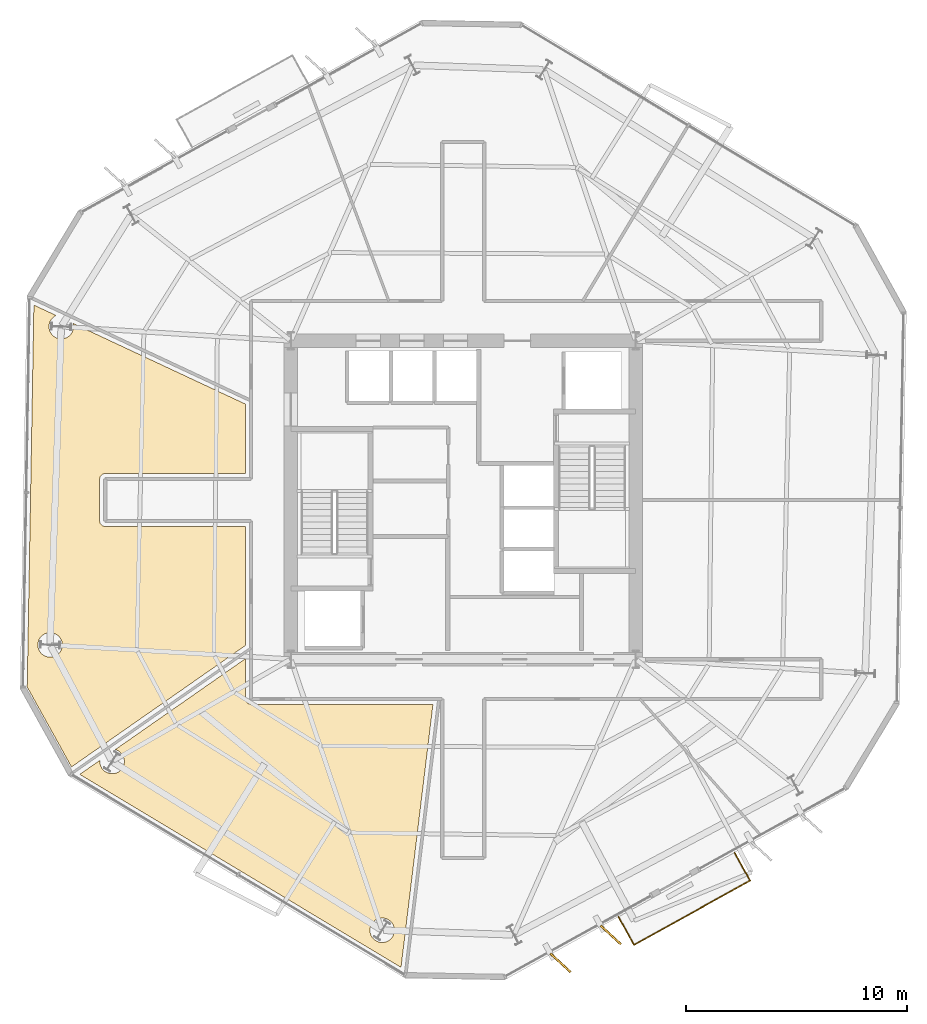
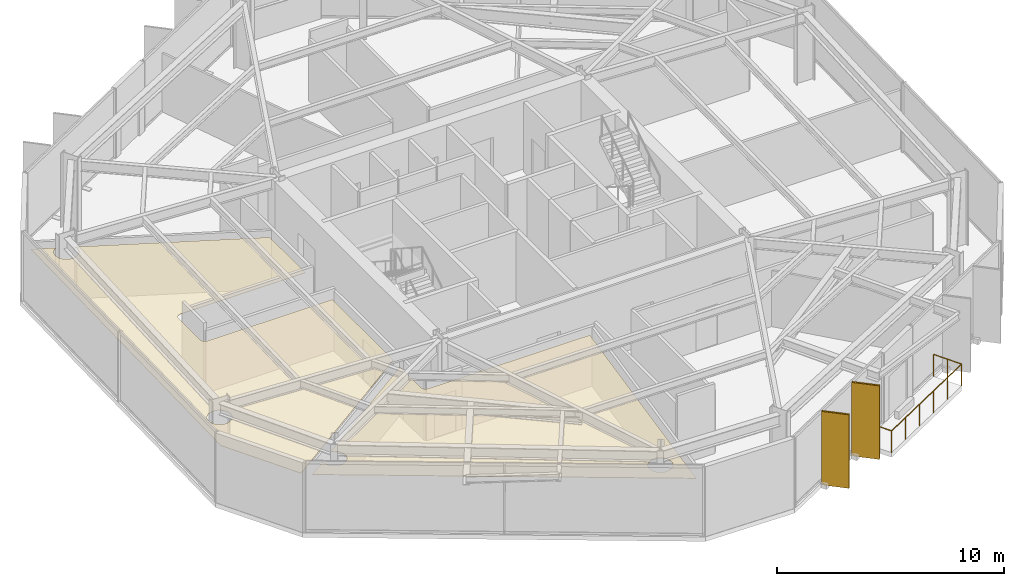
# One storey, part 9 of 11: 4 coverings, 2 shading devices, 1 railing.
"""IFC4 building model written with IfcOpenShell, lengths in metres."""

from ifc_helpers import new_model, si_unit, direction, frame, origin, origin_2d, place, context, subcontext, project, spatial, polyline, rectangle, circle, outline, extrude, material, layer, layer_set, type_object, element, save


model = new_model("IFC4")

# Units and contexts
model_context = context("Model", 3, precision=1e-05, world=origin(), true_north=direction((0.0, 1.0)))
body_context = subcontext(model_context, "Body", "Model", "MODEL_VIEW")
ifc_project = project(units=[si_unit("LENGTHUNIT", "METRE"), si_unit("AREAUNIT", "SQUARE_METRE"), si_unit("VOLUMEUNIT", "CUBIC_METRE"), si_unit("PLANEANGLEUNIT", "RADIAN"), si_unit("MASSUNIT", "GRAM", prefix="KILO")], contexts=[model_context])

# Site, building, storey
site_placement = place(None, origin())
site = spatial("IfcSite", under=ifc_project, at=site_placement, CompositionType="ELEMENT")
building_placement = place(site_placement, origin())
building = spatial("IfcBuilding", under=site, at=building_placement, Name="Kranzbogen Civic Tower", CompositionType="ELEMENT")
storey_placement = place(building_placement, frame((0.0, 0.0, 138.39990234375)))
storey = spatial("IfcBuildingStorey", under=building, at=storey_placement, Name="L33", CompositionType="ELEMENT", Elevation=138.39990234375)

# Coverings
ifc_material_1 = material(Name="Pale Anodised Aluminium", Category="aluminium")
ifc_layer_1 = layer(ifc_material_1, 0.02490234375, Name="Pale Anodised Aluminium")
ifc_layer_set_1 = layer_set([ifc_layer_1], Name="Pale Anodised Aluminium")
covering_type_1 = type_object("IfcCoveringType", Name="Anodised Aluminium Vertical Fin Cladding 25 mm", PredefinedType="CLADDING", material=ifc_layer_set_1)
for number, where, z_axis, x_axis, name in (
    (1, (29.39794921875, 4.06494140625, -0.139892578125), (0.0, 0.0, 1.0), (0.73622702441, -0.676734636714, 0.0), "L33 vertical fin pale-metal cladding F5-1"),
    (2, (31.672119140625, 5.325927734375, -0.139892578125), (0.0, 0.0, 1.0), (0.73622702441, -0.676734636714, 0.0), "L33 vertical fin pale-metal cladding F5-2"),
):
    element("IfcCovering", number, at=place(storey_placement, frame(where, z_axis=z_axis, x_axis=x_axis)), inside=storey, type_object=covering_type_1, Name=name, PredefinedType="CLADDING", context=body_context, shape_type="SweptSolid", body=[
        extrude(rectangle(XDim=1.25, YDim=0.10009765625, at=origin_2d()), origin(), (0.0, 0.0, 1.0), 3.9599609375),
    ])

# Shading devices
ifc_material_2 = material(Name="Anodised Bronze Aluminium", Category="aluminium")
shading_device_type = type_object("IfcShadingDeviceType", Name="Anodised Bronze Vertical Facade Fin 1250x80", PredefinedType="USERDEFINED", material=ifc_material_2)
for number, where, z_axis, x_axis, name in (
    (3, (29.39794921875, 4.06494140625, -0.139892578125), (0.0, 0.0, 1.0), (0.73622702441, -0.676734636714, 0.0), "L33 vertical exterior shading fin F5-1"),
    (4, (31.672119140625, 5.325927734375, -0.139892578125), (0.0, 0.0, 1.0), (0.73622702441, -0.676734636714, 0.0), "L33 vertical exterior shading fin F5-2"),
):
    element("IfcShadingDevice", number, at=place(storey_placement, frame(where, z_axis=z_axis, x_axis=x_axis)), inside=storey, type_object=shading_device_type, Name=name, ObjectType="FIN", PredefinedType="USERDEFINED", context=body_context, shape_type="SweptSolid", body=[
        extrude(rectangle(XDim=1.25, YDim=0.080078125, at=origin_2d()), origin(), (0.0, 0.0, 1.0), 3.9599609375),
    ])

# Railing
railing_type = type_object("IfcRailingType", Name="Cantilevered Balcony Glass and Bronze Balustrade 1200", PredefinedType="BALUSTRADE", material=ifc_material_2)
railing_placement = place(storey_placement, frame((32.02392578125, 6.14111328125, 0.0)))
element("IfcRailing", 5, at=railing_placement, inside=storey, type_object=railing_type, Name="L33 exterior terrace balustrade L33-TB2", PredefinedType="BALUSTRADE", context=body_context, shape_type="SweptSolid", body=[
    extrude(circle(Radius=0.02392578125, at=origin_2d()), frame((0.0, 0.0, 1.17578125), z_axis=(0.484927957556, -0.874554101231, 0.0), x_axis=(0.874554101231, 0.484927957556, 0.0)), (0.0, 0.0, 1.0), 1.449951171875),
    extrude(circle(Radius=0.02392578125, at=origin_2d()), frame((0.703125, -1.26806640625, 1.17578125), z_axis=(0.874696086164, 0.484671803233, 0.0), x_axis=(-0.484671803233, 0.874696086164, 0.0)), (0.0, 0.0, 1.0), 5.999755859375),
    extrude(circle(Radius=0.02392578125, at=origin_2d()), frame((5.951171875, 1.639892578125, 1.17578125), z_axis=(-0.484927957556, 0.874554101231, 0.0), x_axis=(-0.874554101231, -0.484927957556, 0.0)), (0.0, 0.0, 1.0), 1.449951171875),
    extrude(circle(Radius=0.02099609375, at=origin_2d()), origin(), (0.0, 0.0, 1.0), 1.15185546875),
    extrude(circle(Radius=0.02099609375, at=origin_2d()), frame((0.3515625, -0.634033203125, 0.0)), (0.0, 0.0, 1.0), 1.15185546875),
    extrude(circle(Radius=0.02099609375, at=origin_2d()), frame((0.703125, -1.26806640625, 0.0)), (0.0, 0.0, 1.0), 1.15185546875),
    extrude(circle(Radius=0.02099609375, at=origin_2d()), frame((1.752685546875, -0.6865234375, 0.0)), (0.0, 0.0, 1.0), 1.15185546875),
    extrude(circle(Radius=0.02099609375, at=origin_2d()), frame((2.80224609375, -0.10498046875, 0.0)), (0.0, 0.0, 1.0), 1.15185546875),
    extrude(circle(Radius=0.02099609375, at=origin_2d()), frame((3.85205078125, 0.476806640625, 0.0)), (0.0, 0.0, 1.0), 1.15185546875),
    extrude(circle(Radius=0.02099609375, at=origin_2d()), frame((4.901611328125, 1.058349609375, 0.0)), (0.0, 0.0, 1.0), 1.15185546875),
    extrude(circle(Radius=0.02099609375, at=origin_2d()), frame((5.951171875, 1.639892578125, 0.0)), (0.0, 0.0, 1.0), 1.15185546875),
    extrude(circle(Radius=0.02099609375, at=origin_2d()), frame((5.599609375, 2.27392578125, 0.0)), (0.0, 0.0, 1.0), 1.15185546875),
    extrude(circle(Radius=0.02099609375, at=origin_2d()), frame((5.248046875, 2.907958984375, 0.0)), (0.0, 0.0, 1.0), 1.15185546875),
])

# Coverings
ifc_material_3 = material(Name="Perforated Acoustic Gypsum Ceiling")
ifc_layer_2 = layer(ifc_material_3, 0.02490234375, Name="Perforated Acoustic Gypsum Ceiling")
ifc_layer_set_2 = layer_set([ifc_layer_2], Name="Perforated Acoustic Gypsum Ceiling")
covering_type_2 = type_object("IfcCoveringType", Name="Perforated Acoustic Mineral Ceiling Tile 25 mm", PredefinedType="CEILING", material=ifc_layer_set_2)
covering_1_placement = place(storey_placement, frame((0.0, 0.0, 2.900146484375)))
element("IfcCovering", 6, at=covering_1_placement, inside=storey, type_object=covering_type_2, Name="L33 Executive Briefing Conference Room acoustic ceiling", PredefinedType="CEILING", context=body_context, shape_type="SweptSolid", body=[
    extrude(outline(polyline([(5.575927734375, 33.818115234375), (6.58203125, 33.346923828125), (6.552001953125, 33.3330078125), (6.5048828125, 33.304931640625), (6.4609375, 33.27294921875), (6.4208984375, 33.236083984375), (6.384033203125, 33.196044921875), (6.35205078125, 33.152099609375), (6.323974609375, 33.10498046875), (6.301025390625, 33.055908203125), (6.282958984375, 33.0048828125), (6.26904296875, 32.951904296875), (6.260986328125, 32.89794921875), (6.259033203125, 32.843994140625), (6.260986328125, 32.7900390625), (6.26904296875, 32.736083984375), (6.282958984375, 32.68310546875), (6.301025390625, 32.632080078125), (6.323974609375, 32.5830078125), (6.35205078125, 32.535888671875), (6.384033203125, 32.491943359375), (6.4208984375, 32.451904296875), (6.4609375, 32.4150390625), (6.5048828125, 32.383056640625), (6.552001953125, 32.35498046875), (6.60107421875, 32.33203125), (6.652099609375, 32.31396484375), (6.705078125, 32.300048828125), (6.759033203125, 32.2919921875), (6.81298828125, 32.2900390625), (6.866943359375, 32.2919921875), (6.9208984375, 32.300048828125), (6.97412109375, 32.31396484375), (7.02490234375, 32.33203125), (7.073974609375, 32.35498046875), (7.12109375, 32.383056640625), (7.1650390625, 32.4150390625), (7.205078125, 32.451904296875), (7.241943359375, 32.491943359375), (7.27392578125, 32.535888671875), (7.302001953125, 32.5830078125), (7.324951171875, 32.632080078125), (7.343017578125, 32.68310546875), (7.35693359375, 32.736083984375), (7.364990234375, 32.7900390625), (7.366943359375, 32.843994140625), (7.364990234375, 32.89794921875), (7.35693359375, 32.951904296875), (7.346923828125, 32.989013671875), (15.155029296875, 29.3359375), (15.155029296875, 26.195068359375), (8.800048828125, 26.195068359375), (8.791015625, 26.195068359375), (8.784912109375, 26.194091796875), (8.76708984375, 26.193115234375), (8.760986328125, 26.19189453125), (8.743896484375, 26.18798828125), (8.737060546875, 26.18701171875), (8.719970703125, 26.181884765625), (8.714111328125, 26.179931640625), (8.697998046875, 26.173095703125), (8.69189453125, 26.169921875), (8.677001953125, 26.162109375), (8.6708984375, 26.157958984375), (8.656982421875, 26.14892578125), (8.652099609375, 26.14501953125), (8.637939453125, 26.134033203125), (8.633056640625, 26.12890625), (8.62109375, 26.116943359375), (8.615966796875, 26.112060546875), (8.60498046875, 26.097900390625), (8.60107421875, 26.093017578125), (8.592041015625, 26.0791015625), (8.587890625, 26.072998046875), (8.580078125, 26.05810546875), (8.576904296875, 26.052001953125), (8.570068359375, 26.035888671875), (8.568115234375, 26.030029296875), (8.56298828125, 26.012939453125), (8.56201171875, 26.006103515625), (8.55810546875, 25.989013671875), (8.556884765625, 25.98291015625), (8.555908203125, 25.965087890625), (8.554931640625, 25.958984375), (8.554931640625, 25.949951171875), (8.554931640625, 24.050048828125), (8.554931640625, 24.041015625), (8.555908203125, 24.034912109375), (8.556884765625, 24.01708984375), (8.55810546875, 24.010986328125), (8.56201171875, 23.993896484375), (8.56298828125, 23.987060546875), (8.568115234375, 23.969970703125), (8.570068359375, 23.964111328125), (8.576904296875, 23.947998046875), (8.580078125, 23.94189453125), (8.587890625, 23.927001953125), (8.592041015625, 23.9208984375), (8.60107421875, 23.906982421875), (8.60498046875, 23.902099609375), (8.615966796875, 23.887939453125), (8.62109375, 23.883056640625), (8.633056640625, 23.87109375), (8.637939453125, 23.865966796875), (8.652099609375, 23.85498046875), (8.656982421875, 23.85107421875), (8.6708984375, 23.842041015625), (8.677001953125, 23.837890625), (8.69189453125, 23.830078125), (8.697998046875, 23.826904296875), (8.714111328125, 23.820068359375), (8.719970703125, 23.818115234375), (8.737060546875, 23.81298828125), (8.743896484375, 23.81201171875), (8.760986328125, 23.80810546875), (8.76708984375, 23.806884765625), (8.784912109375, 23.805908203125), (8.791015625, 23.804931640625), (8.800048828125, 23.804931640625), (15.155029296875, 23.804931640625), (15.155029296875, 18.424072265625), (7.278076171875, 12.924072265625), (5.27392578125, 16.5380859375), (5.575927734375, 33.818115234375)]), holes=[polyline([(6.822021484375, 18.23193359375), (6.799072265625, 18.18310546875), (6.77099609375, 18.135986328125), (6.739013671875, 18.092041015625), (6.701904296875, 18.052001953125), (6.662109375, 18.014892578125), (6.617919921875, 17.98291015625), (6.571044921875, 17.955078125), (6.52197265625, 17.931884765625), (6.470947265625, 17.9140625), (6.41796875, 17.89990234375), (6.364013671875, 17.89208984375), (6.31005859375, 17.889892578125), (6.256103515625, 17.89208984375), (6.201904296875, 17.89990234375), (6.14892578125, 17.9140625), (6.097900390625, 17.931884765625), (6.049072265625, 17.955078125), (6.001953125, 17.98291015625), (5.9580078125, 18.014892578125), (5.91796875, 18.052001953125), (5.881103515625, 18.092041015625), (5.84912109375, 18.135986328125), (5.821044921875, 18.18310546875), (5.798095703125, 18.23193359375), (5.780029296875, 18.282958984375), (5.76611328125, 18.3359375), (5.758056640625, 18.389892578125), (5.756103515625, 18.444091796875), (5.758056640625, 18.498046875), (5.76611328125, 18.552001953125), (5.780029296875, 18.60498046875), (5.798095703125, 18.656005859375), (5.821044921875, 18.705078125), (5.84912109375, 18.751953125), (5.881103515625, 18.7958984375), (5.91796875, 18.8359375), (5.9580078125, 18.873046875), (6.001953125, 18.905029296875), (6.049072265625, 18.93310546875), (6.097900390625, 18.9560546875), (6.14892578125, 18.97412109375), (6.201904296875, 18.988037109375), (6.256103515625, 18.99609375), (6.31005859375, 18.998046875), (6.364013671875, 18.99609375), (6.41796875, 18.988037109375), (6.470947265625, 18.97412109375), (6.52197265625, 18.9560546875), (6.571044921875, 18.93310546875), (6.617919921875, 18.905029296875), (6.662109375, 18.873046875), (6.701904296875, 18.8359375), (6.739013671875, 18.7958984375), (6.77099609375, 18.751953125), (6.799072265625, 18.705078125), (6.822021484375, 18.656005859375), (6.840087890625, 18.60498046875), (6.85400390625, 18.552001953125), (6.862060546875, 18.498046875), (6.864013671875, 18.444091796875), (6.862060546875, 18.389892578125), (6.85400390625, 18.3359375), (6.840087890625, 18.282958984375), (6.822021484375, 18.23193359375)])]), origin(), (0.0, 0.0, 1.0), 0.02490234375),
])
covering_2_placement = place(storey_placement, frame((0.0, 0.0, 2.900146484375)))
element("IfcCovering", 7, at=covering_2_placement, inside=storey, type_object=covering_type_2, Name="L33 Parliamentary Review Boardroom acoustic ceiling", PredefinedType="CEILING", context=body_context, shape_type="SweptSolid", body=[
    extrude(outline(polyline([(8.56201171875, 13.222900390625), (8.56005859375, 13.1708984375), (8.56201171875, 13.116943359375), (8.570068359375, 13.06298828125), (8.583984375, 13.010009765625), (8.60205078125, 12.958984375), (8.625, 12.909912109375), (8.653076171875, 12.863037109375), (8.68505859375, 12.819091796875), (8.721923828125, 12.779052734375), (8.761962890625, 12.741943359375), (8.805908203125, 12.7099609375), (8.85302734375, 12.681884765625), (8.902099609375, 12.658935546875), (8.952880859375, 12.64111328125), (9.006103515625, 12.626953125), (9.06005859375, 12.618896484375), (9.114013671875, 12.616943359375), (9.16796875, 12.618896484375), (9.221923828125, 12.626953125), (9.27490234375, 12.64111328125), (9.325927734375, 12.658935546875), (9.375, 12.681884765625), (9.422119140625, 12.7099609375), (9.466064453125, 12.741943359375), (9.506103515625, 12.779052734375), (9.54296875, 12.819091796875), (9.574951171875, 12.863037109375), (9.60302734375, 12.909912109375), (9.6259765625, 12.958984375), (9.64404296875, 13.010009765625), (9.657958984375, 13.06298828125), (9.666015625, 13.116943359375), (9.66796875, 13.1708984375), (9.666015625, 13.22509765625), (9.657958984375, 13.279052734375), (9.64404296875, 13.33203125), (9.6259765625, 13.383056640625), (9.60302734375, 13.431884765625), (9.574951171875, 13.47900390625), (9.54296875, 13.52294921875), (9.506103515625, 13.56298828125), (9.466064453125, 13.60009765625), (9.422119140625, 13.632080078125), (9.375, 13.659912109375), (9.325927734375, 13.68310546875), (9.27490234375, 13.700927734375), (9.25390625, 13.70703125), (15.155029296875, 17.826904296875), (15.155029296875, 16.0), (15.155029296875, 15.990966796875), (15.156005859375, 15.985107421875), (15.156982421875, 15.967041015625), (15.157958984375, 15.9609375), (15.162109375, 15.944091796875), (15.1630859375, 15.93701171875), (15.16796875, 15.919921875), (15.169921875, 15.9140625), (15.177001953125, 15.89794921875), (15.179931640625, 15.89208984375), (15.18798828125, 15.876953125), (15.19189453125, 15.87109375), (15.200927734375, 15.85693359375), (15.205078125, 15.85205078125), (15.216064453125, 15.837890625), (15.220947265625, 15.8330078125), (15.23291015625, 15.821044921875), (15.238037109375, 15.81591796875), (15.251953125, 15.804931640625), (15.257080078125, 15.801025390625), (15.27099609375, 15.7919921875), (15.277099609375, 15.7880859375), (15.2919921875, 15.780029296875), (15.298095703125, 15.777099609375), (15.31396484375, 15.77001953125), (15.320068359375, 15.76806640625), (15.3369140625, 15.762939453125), (15.343994140625, 15.761962890625), (15.361083984375, 15.758056640625), (15.366943359375, 15.757080078125), (15.385009765625, 15.756103515625), (15.39111328125, 15.7548828125), (15.39990234375, 15.7548828125), (23.6298828125, 15.7548828125), (22.18505859375, 3.85498046875), (7.652099609375, 12.587890625), (8.56201171875, 13.222900390625)]), holes=[polyline([(21.843994140625, 5.323974609375), (21.821044921875, 5.27490234375), (21.79296875, 5.22802734375), (21.760986328125, 5.18408203125), (21.72412109375, 5.14404296875), (21.68408203125, 5.10693359375), (21.639892578125, 5.074951171875), (21.593017578125, 5.047119140625), (21.5439453125, 5.02392578125), (21.492919921875, 5.006103515625), (21.43994140625, 4.991943359375), (21.385986328125, 4.98388671875), (21.33203125, 4.98193359375), (21.278076171875, 4.98388671875), (21.22412109375, 4.991943359375), (21.1708984375, 5.006103515625), (21.1201171875, 5.02392578125), (21.071044921875, 5.047119140625), (21.02392578125, 5.074951171875), (20.97998046875, 5.10693359375), (20.93994140625, 5.14404296875), (20.903076171875, 5.18408203125), (20.87109375, 5.22802734375), (20.843017578125, 5.27490234375), (20.820068359375, 5.323974609375), (20.802001953125, 5.375), (20.7880859375, 5.427978515625), (20.780029296875, 5.48193359375), (20.778076171875, 5.535888671875), (20.780029296875, 5.590087890625), (20.7880859375, 5.64404296875), (20.802001953125, 5.697021484375), (20.820068359375, 5.748046875), (20.843017578125, 5.797119140625), (20.87109375, 5.843994140625), (20.903076171875, 5.887939453125), (20.93994140625, 5.927978515625), (20.97998046875, 5.965087890625), (21.02392578125, 5.9970703125), (21.071044921875, 6.02490234375), (21.1201171875, 6.048095703125), (21.1708984375, 6.06591796875), (21.22412109375, 6.080078125), (21.278076171875, 6.087890625), (21.33203125, 6.090087890625), (21.385986328125, 6.087890625), (21.43994140625, 6.080078125), (21.492919921875, 6.06591796875), (21.5439453125, 6.048095703125), (21.593017578125, 6.02490234375), (21.639892578125, 5.9970703125), (21.68408203125, 5.965087890625), (21.72412109375, 5.927978515625), (21.760986328125, 5.887939453125), (21.79296875, 5.843994140625), (21.821044921875, 5.797119140625), (21.843994140625, 5.748046875), (21.862060546875, 5.697021484375), (21.8759765625, 5.64404296875), (21.884033203125, 5.590087890625), (21.885986328125, 5.535888671875), (21.884033203125, 5.48193359375), (21.8759765625, 5.427978515625), (21.862060546875, 5.375), (21.843994140625, 5.323974609375)])]), origin(), (0.0, 0.0, 1.0), 0.02490234375),
])

save(model, "model.ifc")
